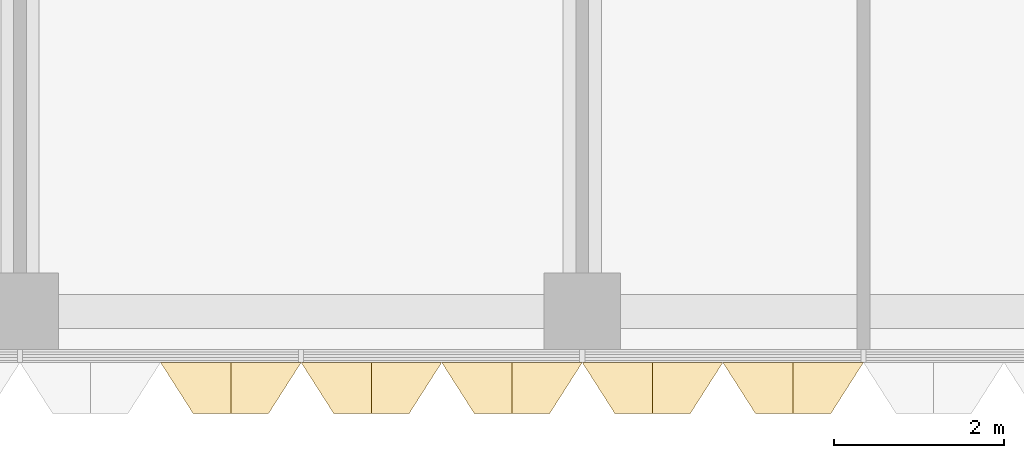
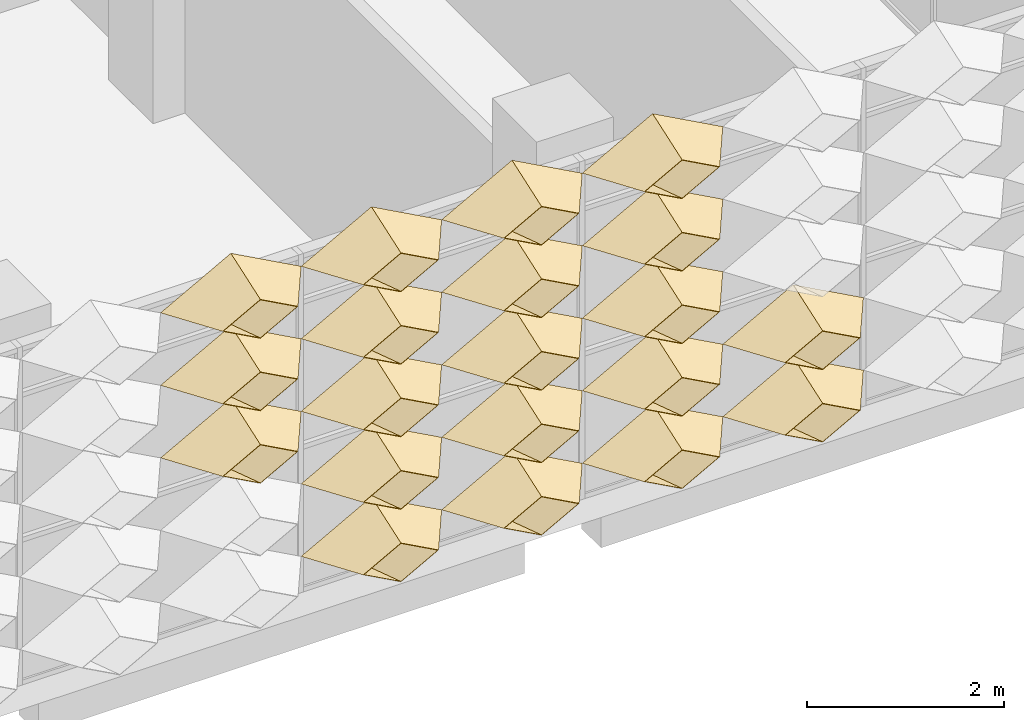
# One storey, part 59 of 87: 20 coverings.
"""IFC4 building model written with IfcOpenShell, lengths in metres."""

from ifc_helpers import new_model, entity, si_unit, direction, frame, origin, place, context, subcontext, project, spatial, material, layer, layer_set, type_object, element, save


model = new_model("IFC4")

# Units and contexts
model_context = context("Model", 3, precision=1e-05, world=origin(), true_north=direction((0.0, 1.0)))
body_context = subcontext(model_context, "Body", "Model", "MODEL_VIEW")
ifc_project = project(units=[si_unit("LENGTHUNIT", "METRE"), si_unit("AREAUNIT", "SQUARE_METRE"), si_unit("VOLUMEUNIT", "CUBIC_METRE"), si_unit("PLANEANGLEUNIT", "RADIAN"), si_unit("MASSUNIT", "GRAM", prefix="KILO")], contexts=[model_context])

# Site, building, storey
site_placement = place(None, origin())
site = spatial("IfcSite", under=ifc_project, at=site_placement, CompositionType="ELEMENT")
building_placement = place(site_placement, origin())
building = spatial("IfcBuilding", under=site, at=building_placement, Name="Lantern Court Research Institute", CompositionType="ELEMENT")
storey_placement = place(building_placement, frame((0.0, 0.0, 5.39990234375)))
storey = spatial("IfcBuildingStorey", under=building, at=storey_placement, Name="L01", CompositionType="ELEMENT", Elevation=5.39990234375)

# Coverings
ifc_material = material(Name="Anodised aluminium", Category="aluminium")
ifc_layer = layer(ifc_material, 0.01611328125)
ifc_layer_set = layer_set([ifc_layer], Name="Anodised aluminium")
covering_type = type_object("IfcCoveringType", Name="Fin cassette 1650 x 900 x 600 aluminium", PredefinedType="CLADDING", material=ifc_layer_set)
covering_1_placement = place(storey_placement, frame((70.125, -8.39990234375, 0.4501953125), z_axis=(0.0, -1.0, 0.0), x_axis=(1.0, 0.0, 0.0)))
cartesian_point_1 = entity("IfcCartesianPoint", [0.824951171875, 0.0])
cartesian_point_2 = entity("IfcCartesianPoint", [0.79150390625, 0.0])
cartesian_point_3 = entity("IfcCartesianPoint", [0.44189453125, 0.0])
cartesian_point_4 = entity("IfcCartesianPoint", [0.43359375, 0.0])
element("IfcCovering", 1, at=covering_1_placement, inside=storey, type_object=covering_type, Name="Fin cassette V5S-L01 1.43", PredefinedType="CLADDING", context=body_context, shape_type="SweptSolid", body=[
    entity("IfcExtrudedAreaSolidTapered", entity("IfcArbitraryProfileDefWithVoids", "AREA", None, entity("IfcPolyline", [cartesian_point_1, entity("IfcCartesianPoint", [0.0, 0.449951171875]), entity("IfcCartesianPoint", [-0.824951171875, 0.0]), entity("IfcCartesianPoint", [0.0, -0.449951171875]), cartesian_point_1]), [entity("IfcPolyline", [cartesian_point_2, entity("IfcCartesianPoint", [0.0, 0.431884765625]), entity("IfcCartesianPoint", [-0.79150390625, 0.0]), entity("IfcCartesianPoint", [0.0, -0.431884765625]), cartesian_point_2])]), entity("IfcAxis2Placement3D", entity("IfcCartesianPoint", [0.0, 0.0, 0.0])), entity("IfcDirection", [0.0, 0.0, 1.0]), 0.60009765625, entity("IfcArbitraryProfileDefWithVoids", "AREA", None, entity("IfcPolyline", [cartesian_point_3, entity("IfcCartesianPoint", [0.0, 0.240966796875]), entity("IfcCartesianPoint", [-0.44189453125, 0.0]), entity("IfcCartesianPoint", [0.0, -0.240966796875]), cartesian_point_3]), [entity("IfcPolyline", [cartesian_point_4, entity("IfcCartesianPoint", [0.0, 0.236572265625]), entity("IfcCartesianPoint", [-0.43359375, 0.0]), entity("IfcCartesianPoint", [0.0, -0.236572265625]), cartesian_point_4])])),
])
covering_2_placement = place(storey_placement, frame((71.77490234375, -8.39990234375, 0.4501953125), z_axis=(0.0, -1.0, 0.0), x_axis=(1.0, 0.0, 0.0)))
cartesian_point_5 = entity("IfcCartesianPoint", [0.824951171875, 0.0])
cartesian_point_6 = entity("IfcCartesianPoint", [0.79150390625, 0.0])
cartesian_point_7 = entity("IfcCartesianPoint", [0.44189453125, 0.0])
cartesian_point_8 = entity("IfcCartesianPoint", [0.43359375, 0.0])
element("IfcCovering", 2, at=covering_2_placement, inside=storey, type_object=covering_type, Name="Fin cassette V5S-L01 1.44", PredefinedType="CLADDING", context=body_context, shape_type="SweptSolid", body=[
    entity("IfcExtrudedAreaSolidTapered", entity("IfcArbitraryProfileDefWithVoids", "AREA", None, entity("IfcPolyline", [cartesian_point_5, entity("IfcCartesianPoint", [0.0, 0.449951171875]), entity("IfcCartesianPoint", [-0.824951171875, 0.0]), entity("IfcCartesianPoint", [0.0, -0.449951171875]), cartesian_point_5]), [entity("IfcPolyline", [cartesian_point_6, entity("IfcCartesianPoint", [0.0, 0.431884765625]), entity("IfcCartesianPoint", [-0.79150390625, 0.0]), entity("IfcCartesianPoint", [0.0, -0.431884765625]), cartesian_point_6])]), entity("IfcAxis2Placement3D", entity("IfcCartesianPoint", [0.0, 0.0, 0.0])), entity("IfcDirection", [0.0, 0.0, 1.0]), 0.60009765625, entity("IfcArbitraryProfileDefWithVoids", "AREA", None, entity("IfcPolyline", [cartesian_point_7, entity("IfcCartesianPoint", [0.0, 0.240966796875]), entity("IfcCartesianPoint", [-0.44189453125, 0.0]), entity("IfcCartesianPoint", [0.0, -0.240966796875]), cartesian_point_7]), [entity("IfcPolyline", [cartesian_point_8, entity("IfcCartesianPoint", [0.0, 0.236572265625]), entity("IfcCartesianPoint", [-0.43359375, 0.0]), entity("IfcCartesianPoint", [0.0, -0.236572265625]), cartesian_point_8])])),
])
covering_3_placement = place(storey_placement, frame((73.425048828125, -8.39990234375, 0.4501953125), z_axis=(0.0, -1.0, 0.0), x_axis=(1.0, 0.0, 0.0)))
cartesian_point_9 = entity("IfcCartesianPoint", [0.824951171875, 0.0])
cartesian_point_10 = entity("IfcCartesianPoint", [0.79150390625, 0.0])
cartesian_point_11 = entity("IfcCartesianPoint", [0.44189453125, 0.0])
cartesian_point_12 = entity("IfcCartesianPoint", [0.43359375, 0.0])
element("IfcCovering", 3, at=covering_3_placement, inside=storey, type_object=covering_type, Name="Fin cassette V5S-L01 1.45", PredefinedType="CLADDING", context=body_context, shape_type="SweptSolid", body=[
    entity("IfcExtrudedAreaSolidTapered", entity("IfcArbitraryProfileDefWithVoids", "AREA", None, entity("IfcPolyline", [cartesian_point_9, entity("IfcCartesianPoint", [0.0, 0.449951171875]), entity("IfcCartesianPoint", [-0.824951171875, 0.0]), entity("IfcCartesianPoint", [0.0, -0.449951171875]), cartesian_point_9]), [entity("IfcPolyline", [cartesian_point_10, entity("IfcCartesianPoint", [0.0, 0.431884765625]), entity("IfcCartesianPoint", [-0.79150390625, 0.0]), entity("IfcCartesianPoint", [0.0, -0.431884765625]), cartesian_point_10])]), entity("IfcAxis2Placement3D", entity("IfcCartesianPoint", [0.0, 0.0, 0.0])), entity("IfcDirection", [0.0, 0.0, 1.0]), 0.60009765625, entity("IfcArbitraryProfileDefWithVoids", "AREA", None, entity("IfcPolyline", [cartesian_point_11, entity("IfcCartesianPoint", [0.0, 0.240966796875]), entity("IfcCartesianPoint", [-0.44189453125, 0.0]), entity("IfcCartesianPoint", [0.0, -0.240966796875]), cartesian_point_11]), [entity("IfcPolyline", [cartesian_point_12, entity("IfcCartesianPoint", [0.0, 0.236572265625]), entity("IfcCartesianPoint", [-0.43359375, 0.0]), entity("IfcCartesianPoint", [0.0, -0.236572265625]), cartesian_point_12])])),
])
covering_4_placement = place(storey_placement, frame((75.074951171875, -8.39990234375, 0.4501953125), z_axis=(0.0, -1.0, 0.0), x_axis=(1.0, 0.0, 0.0)))
cartesian_point_13 = entity("IfcCartesianPoint", [0.824951171875, 0.0])
cartesian_point_14 = entity("IfcCartesianPoint", [0.79150390625, 0.0])
cartesian_point_15 = entity("IfcCartesianPoint", [0.44189453125, 0.0])
cartesian_point_16 = entity("IfcCartesianPoint", [0.43359375, 0.0])
element("IfcCovering", 4, at=covering_4_placement, inside=storey, type_object=covering_type, Name="Fin cassette V5S-L01 1.46", PredefinedType="CLADDING", context=body_context, shape_type="SweptSolid", body=[
    entity("IfcExtrudedAreaSolidTapered", entity("IfcArbitraryProfileDefWithVoids", "AREA", None, entity("IfcPolyline", [cartesian_point_13, entity("IfcCartesianPoint", [0.0, 0.449951171875]), entity("IfcCartesianPoint", [-0.824951171875, 0.0]), entity("IfcCartesianPoint", [0.0, -0.449951171875]), cartesian_point_13]), [entity("IfcPolyline", [cartesian_point_14, entity("IfcCartesianPoint", [0.0, 0.431884765625]), entity("IfcCartesianPoint", [-0.79150390625, 0.0]), entity("IfcCartesianPoint", [0.0, -0.431884765625]), cartesian_point_14])]), entity("IfcAxis2Placement3D", entity("IfcCartesianPoint", [0.0, 0.0, 0.0])), entity("IfcDirection", [0.0, 0.0, 1.0]), 0.60009765625, entity("IfcArbitraryProfileDefWithVoids", "AREA", None, entity("IfcPolyline", [cartesian_point_15, entity("IfcCartesianPoint", [0.0, 0.240966796875]), entity("IfcCartesianPoint", [-0.44189453125, 0.0]), entity("IfcCartesianPoint", [0.0, -0.240966796875]), cartesian_point_15]), [entity("IfcPolyline", [cartesian_point_16, entity("IfcCartesianPoint", [0.0, 0.236572265625]), entity("IfcCartesianPoint", [-0.43359375, 0.0]), entity("IfcCartesianPoint", [0.0, -0.236572265625]), cartesian_point_16])])),
])
covering_5_placement = place(storey_placement, frame((70.125, -8.39990234375, 1.35009765625), z_axis=(0.0, -1.0, 0.0), x_axis=(1.0, 0.0, 0.0)))
cartesian_point_17 = entity("IfcCartesianPoint", [0.824951171875, 0.0])
cartesian_point_18 = entity("IfcCartesianPoint", [0.79150390625, 0.0])
cartesian_point_19 = entity("IfcCartesianPoint", [0.44189453125, 0.0])
cartesian_point_20 = entity("IfcCartesianPoint", [0.43359375, 0.0])
element("IfcCovering", 5, at=covering_5_placement, inside=storey, type_object=covering_type, Name="Fin cassette V5S-L01 2.43", PredefinedType="CLADDING", context=body_context, shape_type="SweptSolid", body=[
    entity("IfcExtrudedAreaSolidTapered", entity("IfcArbitraryProfileDefWithVoids", "AREA", None, entity("IfcPolyline", [cartesian_point_17, entity("IfcCartesianPoint", [0.0, 0.449951171875]), entity("IfcCartesianPoint", [-0.824951171875, 0.0]), entity("IfcCartesianPoint", [0.0, -0.449951171875]), cartesian_point_17]), [entity("IfcPolyline", [cartesian_point_18, entity("IfcCartesianPoint", [0.0, 0.431884765625]), entity("IfcCartesianPoint", [-0.79150390625, 0.0]), entity("IfcCartesianPoint", [0.0, -0.431884765625]), cartesian_point_18])]), entity("IfcAxis2Placement3D", entity("IfcCartesianPoint", [0.0, 0.0, 0.0])), entity("IfcDirection", [0.0, 0.0, 1.0]), 0.60009765625, entity("IfcArbitraryProfileDefWithVoids", "AREA", None, entity("IfcPolyline", [cartesian_point_19, entity("IfcCartesianPoint", [0.0, 0.240966796875]), entity("IfcCartesianPoint", [-0.44189453125, 0.0]), entity("IfcCartesianPoint", [0.0, -0.240966796875]), cartesian_point_19]), [entity("IfcPolyline", [cartesian_point_20, entity("IfcCartesianPoint", [0.0, 0.236572265625]), entity("IfcCartesianPoint", [-0.43359375, 0.0]), entity("IfcCartesianPoint", [0.0, -0.236572265625]), cartesian_point_20])])),
])
covering_6_placement = place(storey_placement, frame((71.77490234375, -8.39990234375, 1.35009765625), z_axis=(0.0, -1.0, 0.0), x_axis=(1.0, 0.0, 0.0)))
cartesian_point_21 = entity("IfcCartesianPoint", [0.824951171875, 0.0])
cartesian_point_22 = entity("IfcCartesianPoint", [0.79150390625, 0.0])
cartesian_point_23 = entity("IfcCartesianPoint", [0.44189453125, 0.0])
cartesian_point_24 = entity("IfcCartesianPoint", [0.43359375, 0.0])
element("IfcCovering", 6, at=covering_6_placement, inside=storey, type_object=covering_type, Name="Fin cassette V5S-L01 2.44", PredefinedType="CLADDING", context=body_context, shape_type="SweptSolid", body=[
    entity("IfcExtrudedAreaSolidTapered", entity("IfcArbitraryProfileDefWithVoids", "AREA", None, entity("IfcPolyline", [cartesian_point_21, entity("IfcCartesianPoint", [0.0, 0.449951171875]), entity("IfcCartesianPoint", [-0.824951171875, 0.0]), entity("IfcCartesianPoint", [0.0, -0.449951171875]), cartesian_point_21]), [entity("IfcPolyline", [cartesian_point_22, entity("IfcCartesianPoint", [0.0, 0.431884765625]), entity("IfcCartesianPoint", [-0.79150390625, 0.0]), entity("IfcCartesianPoint", [0.0, -0.431884765625]), cartesian_point_22])]), entity("IfcAxis2Placement3D", entity("IfcCartesianPoint", [0.0, 0.0, 0.0])), entity("IfcDirection", [0.0, 0.0, 1.0]), 0.60009765625, entity("IfcArbitraryProfileDefWithVoids", "AREA", None, entity("IfcPolyline", [cartesian_point_23, entity("IfcCartesianPoint", [0.0, 0.240966796875]), entity("IfcCartesianPoint", [-0.44189453125, 0.0]), entity("IfcCartesianPoint", [0.0, -0.240966796875]), cartesian_point_23]), [entity("IfcPolyline", [cartesian_point_24, entity("IfcCartesianPoint", [0.0, 0.236572265625]), entity("IfcCartesianPoint", [-0.43359375, 0.0]), entity("IfcCartesianPoint", [0.0, -0.236572265625]), cartesian_point_24])])),
])
covering_7_placement = place(storey_placement, frame((73.425048828125, -8.39990234375, 1.35009765625), z_axis=(0.0, -1.0, 0.0), x_axis=(1.0, 0.0, 0.0)))
cartesian_point_25 = entity("IfcCartesianPoint", [0.824951171875, 0.0])
cartesian_point_26 = entity("IfcCartesianPoint", [0.79150390625, 0.0])
cartesian_point_27 = entity("IfcCartesianPoint", [0.44189453125, 0.0])
cartesian_point_28 = entity("IfcCartesianPoint", [0.43359375, 0.0])
element("IfcCovering", 7, at=covering_7_placement, inside=storey, type_object=covering_type, Name="Fin cassette V5S-L01 2.45", PredefinedType="CLADDING", context=body_context, shape_type="SweptSolid", body=[
    entity("IfcExtrudedAreaSolidTapered", entity("IfcArbitraryProfileDefWithVoids", "AREA", None, entity("IfcPolyline", [cartesian_point_25, entity("IfcCartesianPoint", [0.0, 0.449951171875]), entity("IfcCartesianPoint", [-0.824951171875, 0.0]), entity("IfcCartesianPoint", [0.0, -0.449951171875]), cartesian_point_25]), [entity("IfcPolyline", [cartesian_point_26, entity("IfcCartesianPoint", [0.0, 0.431884765625]), entity("IfcCartesianPoint", [-0.79150390625, 0.0]), entity("IfcCartesianPoint", [0.0, -0.431884765625]), cartesian_point_26])]), entity("IfcAxis2Placement3D", entity("IfcCartesianPoint", [0.0, 0.0, 0.0])), entity("IfcDirection", [0.0, 0.0, 1.0]), 0.60009765625, entity("IfcArbitraryProfileDefWithVoids", "AREA", None, entity("IfcPolyline", [cartesian_point_27, entity("IfcCartesianPoint", [0.0, 0.240966796875]), entity("IfcCartesianPoint", [-0.44189453125, 0.0]), entity("IfcCartesianPoint", [0.0, -0.240966796875]), cartesian_point_27]), [entity("IfcPolyline", [cartesian_point_28, entity("IfcCartesianPoint", [0.0, 0.236572265625]), entity("IfcCartesianPoint", [-0.43359375, 0.0]), entity("IfcCartesianPoint", [0.0, -0.236572265625]), cartesian_point_28])])),
])
covering_8_placement = place(storey_placement, frame((75.074951171875, -8.39990234375, 1.35009765625), z_axis=(0.0, -1.0, 0.0), x_axis=(1.0, 0.0, 0.0)))
cartesian_point_29 = entity("IfcCartesianPoint", [0.824951171875, 0.0])
cartesian_point_30 = entity("IfcCartesianPoint", [0.79150390625, 0.0])
cartesian_point_31 = entity("IfcCartesianPoint", [0.44189453125, 0.0])
cartesian_point_32 = entity("IfcCartesianPoint", [0.43359375, 0.0])
element("IfcCovering", 8, at=covering_8_placement, inside=storey, type_object=covering_type, Name="Fin cassette V5S-L01 2.46", PredefinedType="CLADDING", context=body_context, shape_type="SweptSolid", body=[
    entity("IfcExtrudedAreaSolidTapered", entity("IfcArbitraryProfileDefWithVoids", "AREA", None, entity("IfcPolyline", [cartesian_point_29, entity("IfcCartesianPoint", [0.0, 0.449951171875]), entity("IfcCartesianPoint", [-0.824951171875, 0.0]), entity("IfcCartesianPoint", [0.0, -0.449951171875]), cartesian_point_29]), [entity("IfcPolyline", [cartesian_point_30, entity("IfcCartesianPoint", [0.0, 0.431884765625]), entity("IfcCartesianPoint", [-0.79150390625, 0.0]), entity("IfcCartesianPoint", [0.0, -0.431884765625]), cartesian_point_30])]), entity("IfcAxis2Placement3D", entity("IfcCartesianPoint", [0.0, 0.0, 0.0])), entity("IfcDirection", [0.0, 0.0, 1.0]), 0.60009765625, entity("IfcArbitraryProfileDefWithVoids", "AREA", None, entity("IfcPolyline", [cartesian_point_31, entity("IfcCartesianPoint", [0.0, 0.240966796875]), entity("IfcCartesianPoint", [-0.44189453125, 0.0]), entity("IfcCartesianPoint", [0.0, -0.240966796875]), cartesian_point_31]), [entity("IfcPolyline", [cartesian_point_32, entity("IfcCartesianPoint", [0.0, 0.236572265625]), entity("IfcCartesianPoint", [-0.43359375, 0.0]), entity("IfcCartesianPoint", [0.0, -0.236572265625]), cartesian_point_32])])),
])
covering_9_placement = place(storey_placement, frame((68.47509765625, -8.39990234375, 2.25), z_axis=(0.0, -1.0, 0.0), x_axis=(1.0, 0.0, 0.0)))
cartesian_point_33 = entity("IfcCartesianPoint", [0.824951171875, 0.0])
cartesian_point_34 = entity("IfcCartesianPoint", [0.79150390625, 0.0])
cartesian_point_35 = entity("IfcCartesianPoint", [0.44189453125, 0.0])
cartesian_point_36 = entity("IfcCartesianPoint", [0.43359375, 0.0])
element("IfcCovering", 9, at=covering_9_placement, inside=storey, type_object=covering_type, Name="Fin cassette V5S-L01 3.42", PredefinedType="CLADDING", context=body_context, shape_type="SweptSolid", body=[
    entity("IfcExtrudedAreaSolidTapered", entity("IfcArbitraryProfileDefWithVoids", "AREA", None, entity("IfcPolyline", [cartesian_point_33, entity("IfcCartesianPoint", [0.0, 0.449951171875]), entity("IfcCartesianPoint", [-0.824951171875, 0.0]), entity("IfcCartesianPoint", [0.0, -0.449951171875]), cartesian_point_33]), [entity("IfcPolyline", [cartesian_point_34, entity("IfcCartesianPoint", [0.0, 0.431884765625]), entity("IfcCartesianPoint", [-0.79150390625, 0.0]), entity("IfcCartesianPoint", [0.0, -0.431884765625]), cartesian_point_34])]), entity("IfcAxis2Placement3D", entity("IfcCartesianPoint", [0.0, 0.0, 0.0])), entity("IfcDirection", [0.0, 0.0, 1.0]), 0.60009765625, entity("IfcArbitraryProfileDefWithVoids", "AREA", None, entity("IfcPolyline", [cartesian_point_35, entity("IfcCartesianPoint", [0.0, 0.240966796875]), entity("IfcCartesianPoint", [-0.44189453125, 0.0]), entity("IfcCartesianPoint", [0.0, -0.240966796875]), cartesian_point_35]), [entity("IfcPolyline", [cartesian_point_36, entity("IfcCartesianPoint", [0.0, 0.236572265625]), entity("IfcCartesianPoint", [-0.43359375, 0.0]), entity("IfcCartesianPoint", [0.0, -0.236572265625]), cartesian_point_36])])),
])
covering_10_placement = place(storey_placement, frame((70.125, -8.39990234375, 2.25), z_axis=(0.0, -1.0, 0.0), x_axis=(1.0, 0.0, 0.0)))
cartesian_point_37 = entity("IfcCartesianPoint", [0.824951171875, 0.0])
cartesian_point_38 = entity("IfcCartesianPoint", [0.79150390625, 0.0])
cartesian_point_39 = entity("IfcCartesianPoint", [0.44189453125, 0.0])
cartesian_point_40 = entity("IfcCartesianPoint", [0.43359375, 0.0])
element("IfcCovering", 10, at=covering_10_placement, inside=storey, type_object=covering_type, Name="Fin cassette V5S-L01 3.43", PredefinedType="CLADDING", context=body_context, shape_type="SweptSolid", body=[
    entity("IfcExtrudedAreaSolidTapered", entity("IfcArbitraryProfileDefWithVoids", "AREA", None, entity("IfcPolyline", [cartesian_point_37, entity("IfcCartesianPoint", [0.0, 0.449951171875]), entity("IfcCartesianPoint", [-0.824951171875, 0.0]), entity("IfcCartesianPoint", [0.0, -0.449951171875]), cartesian_point_37]), [entity("IfcPolyline", [cartesian_point_38, entity("IfcCartesianPoint", [0.0, 0.431884765625]), entity("IfcCartesianPoint", [-0.79150390625, 0.0]), entity("IfcCartesianPoint", [0.0, -0.431884765625]), cartesian_point_38])]), entity("IfcAxis2Placement3D", entity("IfcCartesianPoint", [0.0, 0.0, 0.0])), entity("IfcDirection", [0.0, 0.0, 1.0]), 0.60009765625, entity("IfcArbitraryProfileDefWithVoids", "AREA", None, entity("IfcPolyline", [cartesian_point_39, entity("IfcCartesianPoint", [0.0, 0.240966796875]), entity("IfcCartesianPoint", [-0.44189453125, 0.0]), entity("IfcCartesianPoint", [0.0, -0.240966796875]), cartesian_point_39]), [entity("IfcPolyline", [cartesian_point_40, entity("IfcCartesianPoint", [0.0, 0.236572265625]), entity("IfcCartesianPoint", [-0.43359375, 0.0]), entity("IfcCartesianPoint", [0.0, -0.236572265625]), cartesian_point_40])])),
])
covering_11_placement = place(storey_placement, frame((71.77490234375, -8.39990234375, 2.25), z_axis=(0.0, -1.0, 0.0), x_axis=(1.0, 0.0, 0.0)))
cartesian_point_41 = entity("IfcCartesianPoint", [0.824951171875, 0.0])
cartesian_point_42 = entity("IfcCartesianPoint", [0.79150390625, 0.0])
cartesian_point_43 = entity("IfcCartesianPoint", [0.44189453125, 0.0])
cartesian_point_44 = entity("IfcCartesianPoint", [0.43359375, 0.0])
element("IfcCovering", 11, at=covering_11_placement, inside=storey, type_object=covering_type, Name="Fin cassette V5S-L01 3.44", PredefinedType="CLADDING", context=body_context, shape_type="SweptSolid", body=[
    entity("IfcExtrudedAreaSolidTapered", entity("IfcArbitraryProfileDefWithVoids", "AREA", None, entity("IfcPolyline", [cartesian_point_41, entity("IfcCartesianPoint", [0.0, 0.449951171875]), entity("IfcCartesianPoint", [-0.824951171875, 0.0]), entity("IfcCartesianPoint", [0.0, -0.449951171875]), cartesian_point_41]), [entity("IfcPolyline", [cartesian_point_42, entity("IfcCartesianPoint", [0.0, 0.431884765625]), entity("IfcCartesianPoint", [-0.79150390625, 0.0]), entity("IfcCartesianPoint", [0.0, -0.431884765625]), cartesian_point_42])]), entity("IfcAxis2Placement3D", entity("IfcCartesianPoint", [0.0, 0.0, 0.0])), entity("IfcDirection", [0.0, 0.0, 1.0]), 0.60009765625, entity("IfcArbitraryProfileDefWithVoids", "AREA", None, entity("IfcPolyline", [cartesian_point_43, entity("IfcCartesianPoint", [0.0, 0.240966796875]), entity("IfcCartesianPoint", [-0.44189453125, 0.0]), entity("IfcCartesianPoint", [0.0, -0.240966796875]), cartesian_point_43]), [entity("IfcPolyline", [cartesian_point_44, entity("IfcCartesianPoint", [0.0, 0.236572265625]), entity("IfcCartesianPoint", [-0.43359375, 0.0]), entity("IfcCartesianPoint", [0.0, -0.236572265625]), cartesian_point_44])])),
])
covering_12_placement = place(storey_placement, frame((73.425048828125, -8.39990234375, 2.25), z_axis=(0.0, -1.0, 0.0), x_axis=(1.0, 0.0, 0.0)))
cartesian_point_45 = entity("IfcCartesianPoint", [0.824951171875, 0.0])
cartesian_point_46 = entity("IfcCartesianPoint", [0.79150390625, 0.0])
cartesian_point_47 = entity("IfcCartesianPoint", [0.44189453125, 0.0])
cartesian_point_48 = entity("IfcCartesianPoint", [0.43359375, 0.0])
element("IfcCovering", 12, at=covering_12_placement, inside=storey, type_object=covering_type, Name="Fin cassette V5S-L01 3.45", PredefinedType="CLADDING", context=body_context, shape_type="SweptSolid", body=[
    entity("IfcExtrudedAreaSolidTapered", entity("IfcArbitraryProfileDefWithVoids", "AREA", None, entity("IfcPolyline", [cartesian_point_45, entity("IfcCartesianPoint", [0.0, 0.449951171875]), entity("IfcCartesianPoint", [-0.824951171875, 0.0]), entity("IfcCartesianPoint", [0.0, -0.449951171875]), cartesian_point_45]), [entity("IfcPolyline", [cartesian_point_46, entity("IfcCartesianPoint", [0.0, 0.431884765625]), entity("IfcCartesianPoint", [-0.79150390625, 0.0]), entity("IfcCartesianPoint", [0.0, -0.431884765625]), cartesian_point_46])]), entity("IfcAxis2Placement3D", entity("IfcCartesianPoint", [0.0, 0.0, 0.0])), entity("IfcDirection", [0.0, 0.0, 1.0]), 0.60009765625, entity("IfcArbitraryProfileDefWithVoids", "AREA", None, entity("IfcPolyline", [cartesian_point_47, entity("IfcCartesianPoint", [0.0, 0.240966796875]), entity("IfcCartesianPoint", [-0.44189453125, 0.0]), entity("IfcCartesianPoint", [0.0, -0.240966796875]), cartesian_point_47]), [entity("IfcPolyline", [cartesian_point_48, entity("IfcCartesianPoint", [0.0, 0.236572265625]), entity("IfcCartesianPoint", [-0.43359375, 0.0]), entity("IfcCartesianPoint", [0.0, -0.236572265625]), cartesian_point_48])])),
])
covering_13_placement = place(storey_placement, frame((68.47509765625, -8.39990234375, 3.150146484375), z_axis=(0.0, -1.0, 0.0), x_axis=(1.0, 0.0, 0.0)))
cartesian_point_49 = entity("IfcCartesianPoint", [0.824951171875, 0.0])
cartesian_point_50 = entity("IfcCartesianPoint", [0.79150390625, 0.0])
cartesian_point_51 = entity("IfcCartesianPoint", [0.44189453125, 0.0])
cartesian_point_52 = entity("IfcCartesianPoint", [0.43359375, 0.0])
element("IfcCovering", 13, at=covering_13_placement, inside=storey, type_object=covering_type, Name="Fin cassette V5S-L01 4.42", PredefinedType="CLADDING", context=body_context, shape_type="SweptSolid", body=[
    entity("IfcExtrudedAreaSolidTapered", entity("IfcArbitraryProfileDefWithVoids", "AREA", None, entity("IfcPolyline", [cartesian_point_49, entity("IfcCartesianPoint", [0.0, 0.449951171875]), entity("IfcCartesianPoint", [-0.824951171875, 0.0]), entity("IfcCartesianPoint", [0.0, -0.449951171875]), cartesian_point_49]), [entity("IfcPolyline", [cartesian_point_50, entity("IfcCartesianPoint", [0.0, 0.431884765625]), entity("IfcCartesianPoint", [-0.79150390625, 0.0]), entity("IfcCartesianPoint", [0.0, -0.431884765625]), cartesian_point_50])]), entity("IfcAxis2Placement3D", entity("IfcCartesianPoint", [0.0, 0.0, 0.0])), entity("IfcDirection", [0.0, 0.0, 1.0]), 0.60009765625, entity("IfcArbitraryProfileDefWithVoids", "AREA", None, entity("IfcPolyline", [cartesian_point_51, entity("IfcCartesianPoint", [0.0, 0.240966796875]), entity("IfcCartesianPoint", [-0.44189453125, 0.0]), entity("IfcCartesianPoint", [0.0, -0.240966796875]), cartesian_point_51]), [entity("IfcPolyline", [cartesian_point_52, entity("IfcCartesianPoint", [0.0, 0.236572265625]), entity("IfcCartesianPoint", [-0.43359375, 0.0]), entity("IfcCartesianPoint", [0.0, -0.236572265625]), cartesian_point_52])])),
])
covering_14_placement = place(storey_placement, frame((70.125, -8.39990234375, 3.150146484375), z_axis=(0.0, -1.0, 0.0), x_axis=(1.0, 0.0, 0.0)))
cartesian_point_53 = entity("IfcCartesianPoint", [0.824951171875, 0.0])
cartesian_point_54 = entity("IfcCartesianPoint", [0.79150390625, 0.0])
cartesian_point_55 = entity("IfcCartesianPoint", [0.44189453125, 0.0])
cartesian_point_56 = entity("IfcCartesianPoint", [0.43359375, 0.0])
element("IfcCovering", 14, at=covering_14_placement, inside=storey, type_object=covering_type, Name="Fin cassette V5S-L01 4.43", PredefinedType="CLADDING", context=body_context, shape_type="SweptSolid", body=[
    entity("IfcExtrudedAreaSolidTapered", entity("IfcArbitraryProfileDefWithVoids", "AREA", None, entity("IfcPolyline", [cartesian_point_53, entity("IfcCartesianPoint", [0.0, 0.449951171875]), entity("IfcCartesianPoint", [-0.824951171875, 0.0]), entity("IfcCartesianPoint", [0.0, -0.449951171875]), cartesian_point_53]), [entity("IfcPolyline", [cartesian_point_54, entity("IfcCartesianPoint", [0.0, 0.431884765625]), entity("IfcCartesianPoint", [-0.79150390625, 0.0]), entity("IfcCartesianPoint", [0.0, -0.431884765625]), cartesian_point_54])]), entity("IfcAxis2Placement3D", entity("IfcCartesianPoint", [0.0, 0.0, 0.0])), entity("IfcDirection", [0.0, 0.0, 1.0]), 0.60009765625, entity("IfcArbitraryProfileDefWithVoids", "AREA", None, entity("IfcPolyline", [cartesian_point_55, entity("IfcCartesianPoint", [0.0, 0.240966796875]), entity("IfcCartesianPoint", [-0.44189453125, 0.0]), entity("IfcCartesianPoint", [0.0, -0.240966796875]), cartesian_point_55]), [entity("IfcPolyline", [cartesian_point_56, entity("IfcCartesianPoint", [0.0, 0.236572265625]), entity("IfcCartesianPoint", [-0.43359375, 0.0]), entity("IfcCartesianPoint", [0.0, -0.236572265625]), cartesian_point_56])])),
])
covering_15_placement = place(storey_placement, frame((71.77490234375, -8.39990234375, 3.150146484375), z_axis=(0.0, -1.0, 0.0), x_axis=(1.0, 0.0, 0.0)))
cartesian_point_57 = entity("IfcCartesianPoint", [0.824951171875, 0.0])
cartesian_point_58 = entity("IfcCartesianPoint", [0.79150390625, 0.0])
cartesian_point_59 = entity("IfcCartesianPoint", [0.44189453125, 0.0])
cartesian_point_60 = entity("IfcCartesianPoint", [0.43359375, 0.0])
element("IfcCovering", 15, at=covering_15_placement, inside=storey, type_object=covering_type, Name="Fin cassette V5S-L01 4.44", PredefinedType="CLADDING", context=body_context, shape_type="SweptSolid", body=[
    entity("IfcExtrudedAreaSolidTapered", entity("IfcArbitraryProfileDefWithVoids", "AREA", None, entity("IfcPolyline", [cartesian_point_57, entity("IfcCartesianPoint", [0.0, 0.449951171875]), entity("IfcCartesianPoint", [-0.824951171875, 0.0]), entity("IfcCartesianPoint", [0.0, -0.449951171875]), cartesian_point_57]), [entity("IfcPolyline", [cartesian_point_58, entity("IfcCartesianPoint", [0.0, 0.431884765625]), entity("IfcCartesianPoint", [-0.79150390625, 0.0]), entity("IfcCartesianPoint", [0.0, -0.431884765625]), cartesian_point_58])]), entity("IfcAxis2Placement3D", entity("IfcCartesianPoint", [0.0, 0.0, 0.0])), entity("IfcDirection", [0.0, 0.0, 1.0]), 0.60009765625, entity("IfcArbitraryProfileDefWithVoids", "AREA", None, entity("IfcPolyline", [cartesian_point_59, entity("IfcCartesianPoint", [0.0, 0.240966796875]), entity("IfcCartesianPoint", [-0.44189453125, 0.0]), entity("IfcCartesianPoint", [0.0, -0.240966796875]), cartesian_point_59]), [entity("IfcPolyline", [cartesian_point_60, entity("IfcCartesianPoint", [0.0, 0.236572265625]), entity("IfcCartesianPoint", [-0.43359375, 0.0]), entity("IfcCartesianPoint", [0.0, -0.236572265625]), cartesian_point_60])])),
])
covering_16_placement = place(storey_placement, frame((73.425048828125, -8.39990234375, 3.150146484375), z_axis=(0.0, -1.0, 0.0), x_axis=(1.0, 0.0, 0.0)))
cartesian_point_61 = entity("IfcCartesianPoint", [0.824951171875, 0.0])
cartesian_point_62 = entity("IfcCartesianPoint", [0.79150390625, 0.0])
cartesian_point_63 = entity("IfcCartesianPoint", [0.44189453125, 0.0])
cartesian_point_64 = entity("IfcCartesianPoint", [0.43359375, 0.0])
element("IfcCovering", 16, at=covering_16_placement, inside=storey, type_object=covering_type, Name="Fin cassette V5S-L01 4.45", PredefinedType="CLADDING", context=body_context, shape_type="SweptSolid", body=[
    entity("IfcExtrudedAreaSolidTapered", entity("IfcArbitraryProfileDefWithVoids", "AREA", None, entity("IfcPolyline", [cartesian_point_61, entity("IfcCartesianPoint", [0.0, 0.449951171875]), entity("IfcCartesianPoint", [-0.824951171875, 0.0]), entity("IfcCartesianPoint", [0.0, -0.449951171875]), cartesian_point_61]), [entity("IfcPolyline", [cartesian_point_62, entity("IfcCartesianPoint", [0.0, 0.431884765625]), entity("IfcCartesianPoint", [-0.79150390625, 0.0]), entity("IfcCartesianPoint", [0.0, -0.431884765625]), cartesian_point_62])]), entity("IfcAxis2Placement3D", entity("IfcCartesianPoint", [0.0, 0.0, 0.0])), entity("IfcDirection", [0.0, 0.0, 1.0]), 0.60009765625, entity("IfcArbitraryProfileDefWithVoids", "AREA", None, entity("IfcPolyline", [cartesian_point_63, entity("IfcCartesianPoint", [0.0, 0.240966796875]), entity("IfcCartesianPoint", [-0.44189453125, 0.0]), entity("IfcCartesianPoint", [0.0, -0.240966796875]), cartesian_point_63]), [entity("IfcPolyline", [cartesian_point_64, entity("IfcCartesianPoint", [0.0, 0.236572265625]), entity("IfcCartesianPoint", [-0.43359375, 0.0]), entity("IfcCartesianPoint", [0.0, -0.236572265625]), cartesian_point_64])])),
])
covering_17_placement = place(storey_placement, frame((68.47509765625, -8.39990234375, 4.050048828125), z_axis=(0.0, -1.0, 0.0), x_axis=(1.0, 0.0, 0.0)))
cartesian_point_65 = entity("IfcCartesianPoint", [0.824951171875, 0.0])
cartesian_point_66 = entity("IfcCartesianPoint", [0.79150390625, 0.0])
cartesian_point_67 = entity("IfcCartesianPoint", [0.44189453125, 0.0])
cartesian_point_68 = entity("IfcCartesianPoint", [0.43359375, 0.0])
element("IfcCovering", 17, at=covering_17_placement, inside=storey, type_object=covering_type, Name="Fin cassette V5S-L01 5.42", PredefinedType="CLADDING", context=body_context, shape_type="SweptSolid", body=[
    entity("IfcExtrudedAreaSolidTapered", entity("IfcArbitraryProfileDefWithVoids", "AREA", None, entity("IfcPolyline", [cartesian_point_65, entity("IfcCartesianPoint", [0.0, 0.449951171875]), entity("IfcCartesianPoint", [-0.824951171875, 0.0]), entity("IfcCartesianPoint", [0.0, -0.449951171875]), cartesian_point_65]), [entity("IfcPolyline", [cartesian_point_66, entity("IfcCartesianPoint", [0.0, 0.431884765625]), entity("IfcCartesianPoint", [-0.79150390625, 0.0]), entity("IfcCartesianPoint", [0.0, -0.431884765625]), cartesian_point_66])]), entity("IfcAxis2Placement3D", entity("IfcCartesianPoint", [0.0, 0.0, 0.0])), entity("IfcDirection", [0.0, 0.0, 1.0]), 0.60009765625, entity("IfcArbitraryProfileDefWithVoids", "AREA", None, entity("IfcPolyline", [cartesian_point_67, entity("IfcCartesianPoint", [0.0, 0.240966796875]), entity("IfcCartesianPoint", [-0.44189453125, 0.0]), entity("IfcCartesianPoint", [0.0, -0.240966796875]), cartesian_point_67]), [entity("IfcPolyline", [cartesian_point_68, entity("IfcCartesianPoint", [0.0, 0.236572265625]), entity("IfcCartesianPoint", [-0.43359375, 0.0]), entity("IfcCartesianPoint", [0.0, -0.236572265625]), cartesian_point_68])])),
])
covering_18_placement = place(storey_placement, frame((70.125, -8.39990234375, 4.050048828125), z_axis=(0.0, -1.0, 0.0), x_axis=(1.0, 0.0, 0.0)))
cartesian_point_69 = entity("IfcCartesianPoint", [0.824951171875, 0.0])
cartesian_point_70 = entity("IfcCartesianPoint", [0.79150390625, 0.0])
cartesian_point_71 = entity("IfcCartesianPoint", [0.44189453125, 0.0])
cartesian_point_72 = entity("IfcCartesianPoint", [0.43359375, 0.0])
element("IfcCovering", 18, at=covering_18_placement, inside=storey, type_object=covering_type, Name="Fin cassette V5S-L01 5.43", PredefinedType="CLADDING", context=body_context, shape_type="SweptSolid", body=[
    entity("IfcExtrudedAreaSolidTapered", entity("IfcArbitraryProfileDefWithVoids", "AREA", None, entity("IfcPolyline", [cartesian_point_69, entity("IfcCartesianPoint", [0.0, 0.449951171875]), entity("IfcCartesianPoint", [-0.824951171875, 0.0]), entity("IfcCartesianPoint", [0.0, -0.449951171875]), cartesian_point_69]), [entity("IfcPolyline", [cartesian_point_70, entity("IfcCartesianPoint", [0.0, 0.431884765625]), entity("IfcCartesianPoint", [-0.79150390625, 0.0]), entity("IfcCartesianPoint", [0.0, -0.431884765625]), cartesian_point_70])]), entity("IfcAxis2Placement3D", entity("IfcCartesianPoint", [0.0, 0.0, 0.0])), entity("IfcDirection", [0.0, 0.0, 1.0]), 0.60009765625, entity("IfcArbitraryProfileDefWithVoids", "AREA", None, entity("IfcPolyline", [cartesian_point_71, entity("IfcCartesianPoint", [0.0, 0.240966796875]), entity("IfcCartesianPoint", [-0.44189453125, 0.0]), entity("IfcCartesianPoint", [0.0, -0.240966796875]), cartesian_point_71]), [entity("IfcPolyline", [cartesian_point_72, entity("IfcCartesianPoint", [0.0, 0.236572265625]), entity("IfcCartesianPoint", [-0.43359375, 0.0]), entity("IfcCartesianPoint", [0.0, -0.236572265625]), cartesian_point_72])])),
])
covering_19_placement = place(storey_placement, frame((71.77490234375, -8.39990234375, 4.050048828125), z_axis=(0.0, -1.0, 0.0), x_axis=(1.0, 0.0, 0.0)))
cartesian_point_73 = entity("IfcCartesianPoint", [0.824951171875, 0.0])
cartesian_point_74 = entity("IfcCartesianPoint", [0.79150390625, 0.0])
cartesian_point_75 = entity("IfcCartesianPoint", [0.44189453125, 0.0])
cartesian_point_76 = entity("IfcCartesianPoint", [0.43359375, 0.0])
element("IfcCovering", 19, at=covering_19_placement, inside=storey, type_object=covering_type, Name="Fin cassette V5S-L01 5.44", PredefinedType="CLADDING", context=body_context, shape_type="SweptSolid", body=[
    entity("IfcExtrudedAreaSolidTapered", entity("IfcArbitraryProfileDefWithVoids", "AREA", None, entity("IfcPolyline", [cartesian_point_73, entity("IfcCartesianPoint", [0.0, 0.449951171875]), entity("IfcCartesianPoint", [-0.824951171875, 0.0]), entity("IfcCartesianPoint", [0.0, -0.449951171875]), cartesian_point_73]), [entity("IfcPolyline", [cartesian_point_74, entity("IfcCartesianPoint", [0.0, 0.431884765625]), entity("IfcCartesianPoint", [-0.79150390625, 0.0]), entity("IfcCartesianPoint", [0.0, -0.431884765625]), cartesian_point_74])]), entity("IfcAxis2Placement3D", entity("IfcCartesianPoint", [0.0, 0.0, 0.0])), entity("IfcDirection", [0.0, 0.0, 1.0]), 0.60009765625, entity("IfcArbitraryProfileDefWithVoids", "AREA", None, entity("IfcPolyline", [cartesian_point_75, entity("IfcCartesianPoint", [0.0, 0.240966796875]), entity("IfcCartesianPoint", [-0.44189453125, 0.0]), entity("IfcCartesianPoint", [0.0, -0.240966796875]), cartesian_point_75]), [entity("IfcPolyline", [cartesian_point_76, entity("IfcCartesianPoint", [0.0, 0.236572265625]), entity("IfcCartesianPoint", [-0.43359375, 0.0]), entity("IfcCartesianPoint", [0.0, -0.236572265625]), cartesian_point_76])])),
])
covering_20_placement = place(storey_placement, frame((73.425048828125, -8.39990234375, 4.050048828125), z_axis=(0.0, -1.0, 0.0), x_axis=(1.0, 0.0, 0.0)))
cartesian_point_77 = entity("IfcCartesianPoint", [0.824951171875, 0.0])
cartesian_point_78 = entity("IfcCartesianPoint", [0.79150390625, 0.0])
cartesian_point_79 = entity("IfcCartesianPoint", [0.44189453125, 0.0])
cartesian_point_80 = entity("IfcCartesianPoint", [0.43359375, 0.0])
element("IfcCovering", 20, at=covering_20_placement, inside=storey, type_object=covering_type, Name="Fin cassette V5S-L01 5.45", PredefinedType="CLADDING", context=body_context, shape_type="SweptSolid", body=[
    entity("IfcExtrudedAreaSolidTapered", entity("IfcArbitraryProfileDefWithVoids", "AREA", None, entity("IfcPolyline", [cartesian_point_77, entity("IfcCartesianPoint", [0.0, 0.449951171875]), entity("IfcCartesianPoint", [-0.824951171875, 0.0]), entity("IfcCartesianPoint", [0.0, -0.449951171875]), cartesian_point_77]), [entity("IfcPolyline", [cartesian_point_78, entity("IfcCartesianPoint", [0.0, 0.431884765625]), entity("IfcCartesianPoint", [-0.79150390625, 0.0]), entity("IfcCartesianPoint", [0.0, -0.431884765625]), cartesian_point_78])]), entity("IfcAxis2Placement3D", entity("IfcCartesianPoint", [0.0, 0.0, 0.0])), entity("IfcDirection", [0.0, 0.0, 1.0]), 0.60009765625, entity("IfcArbitraryProfileDefWithVoids", "AREA", None, entity("IfcPolyline", [cartesian_point_79, entity("IfcCartesianPoint", [0.0, 0.240966796875]), entity("IfcCartesianPoint", [-0.44189453125, 0.0]), entity("IfcCartesianPoint", [0.0, -0.240966796875]), cartesian_point_79]), [entity("IfcPolyline", [cartesian_point_80, entity("IfcCartesianPoint", [0.0, 0.236572265625]), entity("IfcCartesianPoint", [-0.43359375, 0.0]), entity("IfcCartesianPoint", [0.0, -0.236572265625]), cartesian_point_80])])),
])

save(model, "model.ifc")
